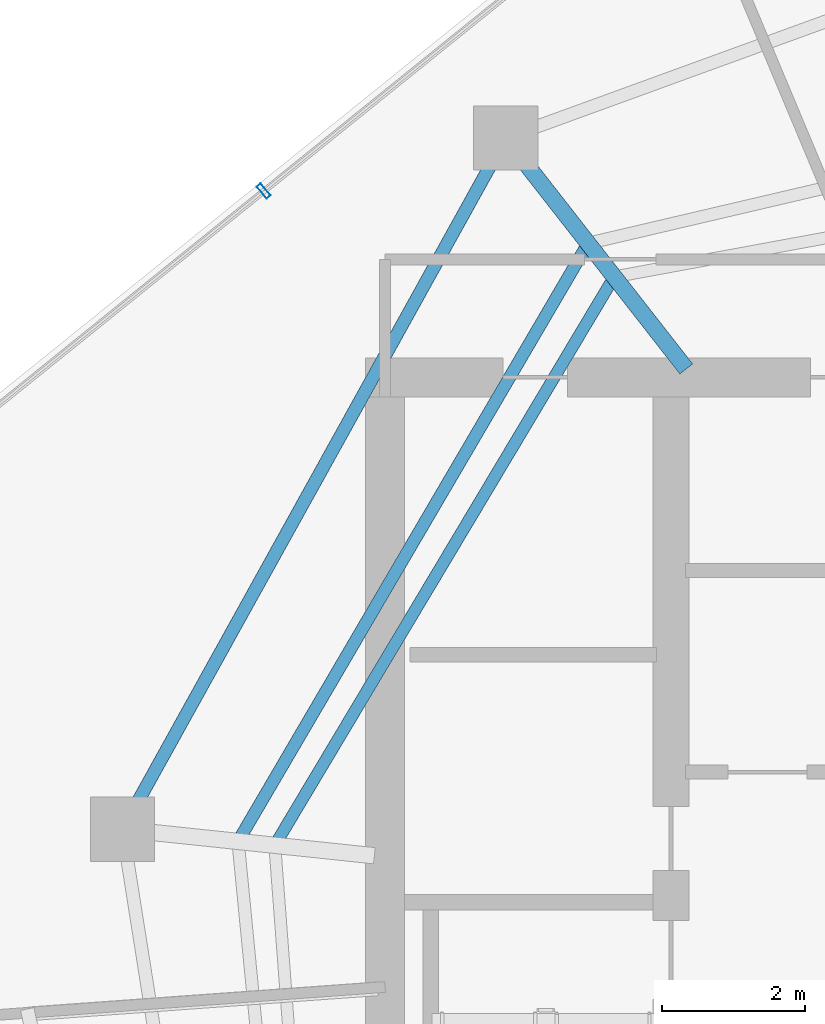
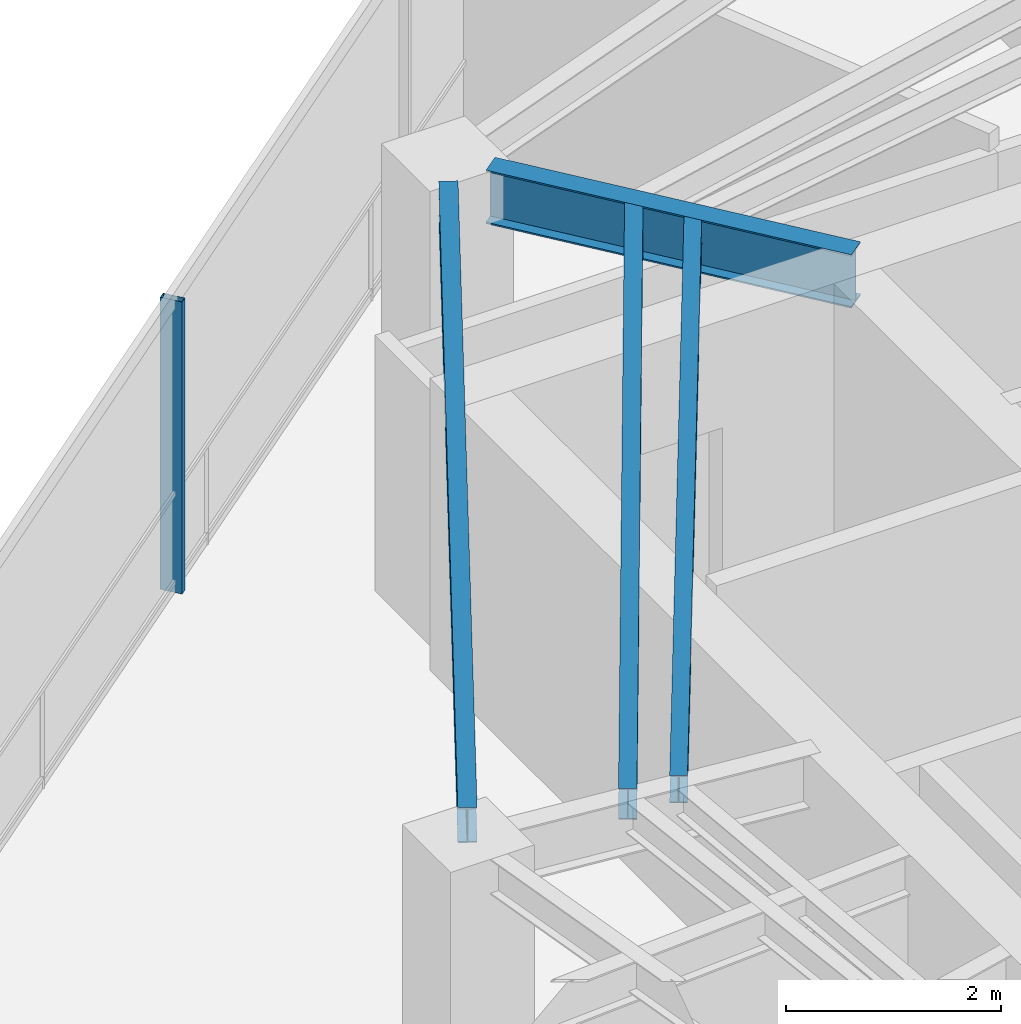
# One storey, part 7 of 19: 4 beams, 1 member, 1 element without a shape of its own.
"""IFC4 building model written with IfcOpenShell, lengths in metres."""

from ifc_helpers import new_model, si_unit, direction, frame, origin, origin_2d, place, context, subcontext, project, spatial, hollow_rectangle, i_section, extrude, material, layer, layer_set, material_profile, profile_set, type_object, element, aggregate, save


model = new_model("IFC4")

# Units and contexts
model_context = context("Model", 3, precision=1e-05, world=origin(), true_north=direction((0.0, 1.0)))
body_context = subcontext(model_context, "Body", "Model", "MODEL_VIEW")
ifc_project = project(units=[si_unit("LENGTHUNIT", "METRE"), si_unit("AREAUNIT", "SQUARE_METRE"), si_unit("VOLUMEUNIT", "CUBIC_METRE"), si_unit("PLANEANGLEUNIT", "RADIAN"), si_unit("MASSUNIT", "GRAM", prefix="KILO")], contexts=[model_context])

# Site, building, storey
site_placement = place(None, origin())
site = spatial("IfcSite", under=ifc_project, at=site_placement, CompositionType="ELEMENT")
building_placement = place(site_placement, origin())
building = spatial("IfcBuilding", under=site, at=building_placement, Name="Qarnah Convention Tower", CompositionType="ELEMENT")
storey_placement = place(building_placement, frame((0.0, 0.0, 213.0)))
storey = spatial("IfcBuildingStorey", under=building, at=storey_placement, Name="L57", CompositionType="ELEMENT", Elevation=213.0)

# Beams
ifc_material_1 = material(Name="Structural steel S355JR", Category="steel")
ifc_material_profile_1 = material_profile(ifc_material_1, i_section(OverallWidth=0.166015625, OverallDepth=0.31201171875, WebThickness=0.007080078125, FlangeThickness=0.010986328125, at=origin_2d()), Name="W310X45")
ifc_profile_set_1 = profile_set([ifc_material_profile_1], Name="Structural steel S355JR")
beam_type_1 = type_object("IfcBeamType", Name="BM-JST-W310", PredefinedType="JOIST", material=ifc_profile_set_1)
beam_1_placement = place(storey_placement, frame((29.9599609375, 35.530029296875, 3.1640625), z_axis=(-0.512644523627, -0.858600950614, 0.0), x_axis=(0.858600950614, -0.512644523627, 0.0)))
element("IfcBeam", 1, at=beam_1_placement, inside=storey, type_object=beam_type_1, Name="L57 joist BM-L57-IJST-04", PredefinedType="JOIST", context=body_context, shape_type="SweptSolid", body=[
    extrude(i_section(OverallWidth=0.166015625, OverallDepth=0.31201171875, WebThickness=0.007080078125, FlangeThickness=0.010986328125, at=origin_2d()), origin(), (0.0, 0.0, 1.0), 9.082275390625),
])
ifc_material_profile_2 = material_profile(ifc_material_1, i_section(OverallWidth=0.172119140625, OverallDepth=0.35595703125, WebThickness=0.007080078125, FlangeThickness=0.011962890625, at=origin_2d()), Name="W360X51")
ifc_profile_set_2 = profile_set([ifc_material_profile_2], Name="Structural steel S355JR")
beam_type_2 = type_object("IfcBeamType", Name="BM-JST-W360", PredefinedType="JOIST", material=ifc_profile_set_2)
beam_2_placement = place(storey_placement, frame((29.594970703125, 35.998046875, 3.14208984375), z_axis=(-0.505140510309, -0.863037116725, 0.0), x_axis=(0.863037116725, -0.505140510309, 0.0)))
element("IfcBeam", 2, at=beam_2_placement, inside=storey, type_object=beam_type_2, Name="L57 joist BM-L57-SJST-04", PredefinedType="JOIST", context=body_context, shape_type="SweptSolid", body=[
    extrude(i_section(OverallWidth=0.172119140625, OverallDepth=0.35595703125, WebThickness=0.007080078125, FlangeThickness=0.011962890625, at=origin_2d()), origin(), (0.0, 0.0, 1.0), 9.513916015625),
])
ifc_material_profile_3 = material_profile(ifc_material_1, i_section(OverallWidth=0.22802734375, OverallDepth=0.60791015625, WebThickness=0.010986328125, FlangeThickness=0.01708984375, at=origin_2d()), Name="W610X113")
ifc_profile_set_3 = profile_set([ifc_material_profile_3], Name="Structural steel S355JR")
beam_type_3 = type_object("IfcBeamType", Name="BM-RAD-W610B", PredefinedType="BEAM", material=ifc_profile_set_3)
beam_3_placement = place(storey_placement, frame((31.013916015625, 34.318115234375, 3.01611328125), z_axis=(-0.615807906571, 0.787896327066, 0.0), x_axis=(-0.787896327066, -0.615807906571, 0.0)))
element("IfcBeam", 3, at=beam_3_placement, inside=storey, type_object=beam_type_3, Name="L57 beam BM-L57-RAD-04", PredefinedType="BEAM", context=body_context, shape_type="SweptSolid", body=[
    extrude(i_section(OverallWidth=0.22802734375, OverallDepth=0.60791015625, WebThickness=0.010986328125, FlangeThickness=0.01708984375, at=origin_2d()), origin(), (0.0, 0.0, 1.0), 3.671630859375),
])
ifc_material_profile_4 = material_profile(ifc_material_1, i_section(OverallWidth=0.179931640625, OverallDepth=0.39990234375, WebThickness=0.009033203125, FlangeThickness=0.013916015625, at=origin_2d()), Name="IPE400")
ifc_profile_set_4 = profile_set([ifc_material_profile_4], Name="Structural steel S355JR")
beam_type_4 = type_object("IfcBeamType", Name="BM-SPN-IPE400", PredefinedType="SPANDREL", material=ifc_profile_set_4)
beam_4_placement = place(storey_placement, frame((28.27490234375, 37.1650390625, 3.1201171875), z_axis=(-0.48479945923, -0.874625339406, 0.0), x_axis=(0.874625339406, -0.48479945923, 0.0)))
element("IfcBeam", 4, at=beam_4_placement, inside=storey, type_object=beam_type_4, Name="L57 spandrel BM-L57-SPN-04", PredefinedType="SPANDREL", context=body_context, shape_type="SweptSolid", body=[
    extrude(i_section(OverallWidth=0.179931640625, OverallDepth=0.39990234375, WebThickness=0.009033203125, FlangeThickness=0.013916015625, at=origin_2d()), origin(), (0.0, 0.0, 1.0), 10.177001953125),
])

# Curtain wall, member
ifc_material_2 = material(Name="Tempered Low-E dark glass", Category="glass")
ifc_layer = layer(ifc_material_2, 0.174072265625)
ifc_layer_set = layer_set([ifc_layer], Name="Tempered Low-E dark glass")
curtain_wall_type = type_object("IfcCurtainWallType", Name="CWS-04", PredefinedType="NOTDEFINED", material=ifc_layer_set)
curtain_wall_placement = place(storey_placement, origin())
curtain_wall = element("IfcCurtainWall", 5, at=curtain_wall_placement, inside=storey, type_object=curtain_wall_type, Name="L57 unitised curtain wall CW-L57-F3", PredefinedType="NOTDEFINED")
ifc_material_3 = material(Name="Black anodised aluminium", Category="aluminium")
ifc_material_profile_5 = material_profile(ifc_material_3, hollow_rectangle(XDim=0.074951171875, YDim=0.219970703125, WallThickness=0.0048828125, at=origin_2d()), Name="MUL-75X220")
ifc_profile_set_5 = profile_set([ifc_material_profile_5], Name="Black anodised aluminium")
member_type = type_object("IfcMemberType", Name="MUL-T4", PredefinedType="MULLION", material=ifc_profile_set_5)
member_placement = place(storey_placement, frame((25.10302734375, 36.807861328125, 0.0), z_axis=(0.0, 0.0, 1.0), x_axis=(0.778476674692, 0.627673535336, 0.0)))
member = element("IfcMember", 6, at=member_placement, type_object=member_type, Name="CW-L57-F3 mullion 3", PredefinedType="MULLION", context=body_context, shape_type="SweptSolid", body=[
    extrude(hollow_rectangle(XDim=0.074951171875, YDim=0.219970703125, WallThickness=0.0048828125, at=origin_2d()), origin(), (0.0, 0.0, 1.0), 3.320068359375),
])
aggregate(curtain_wall, [member])

save(model, "model.ifc")
